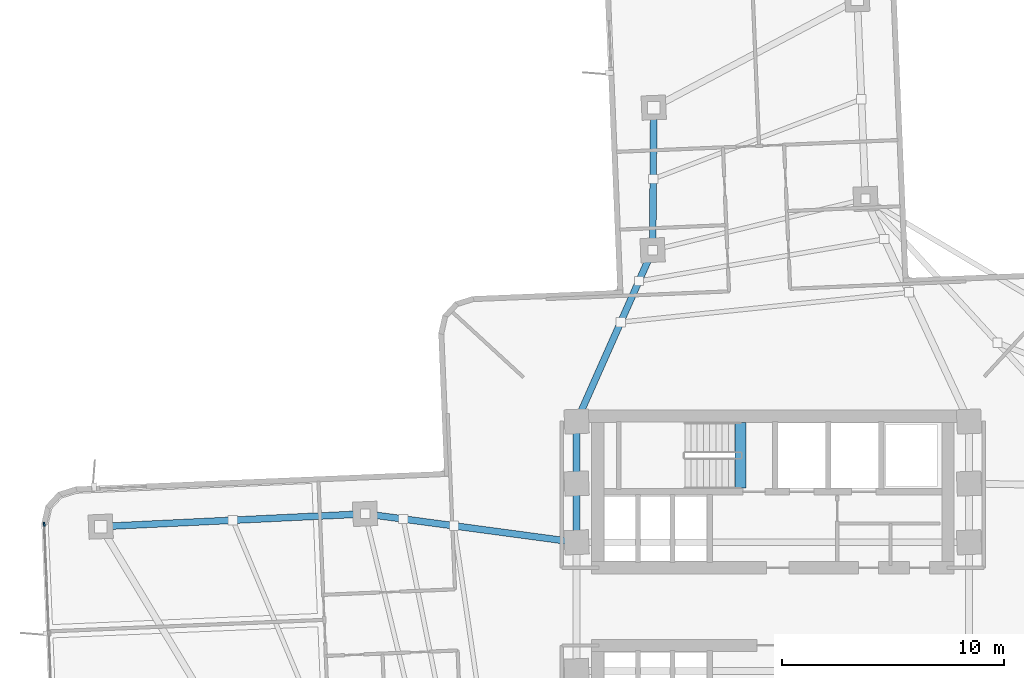
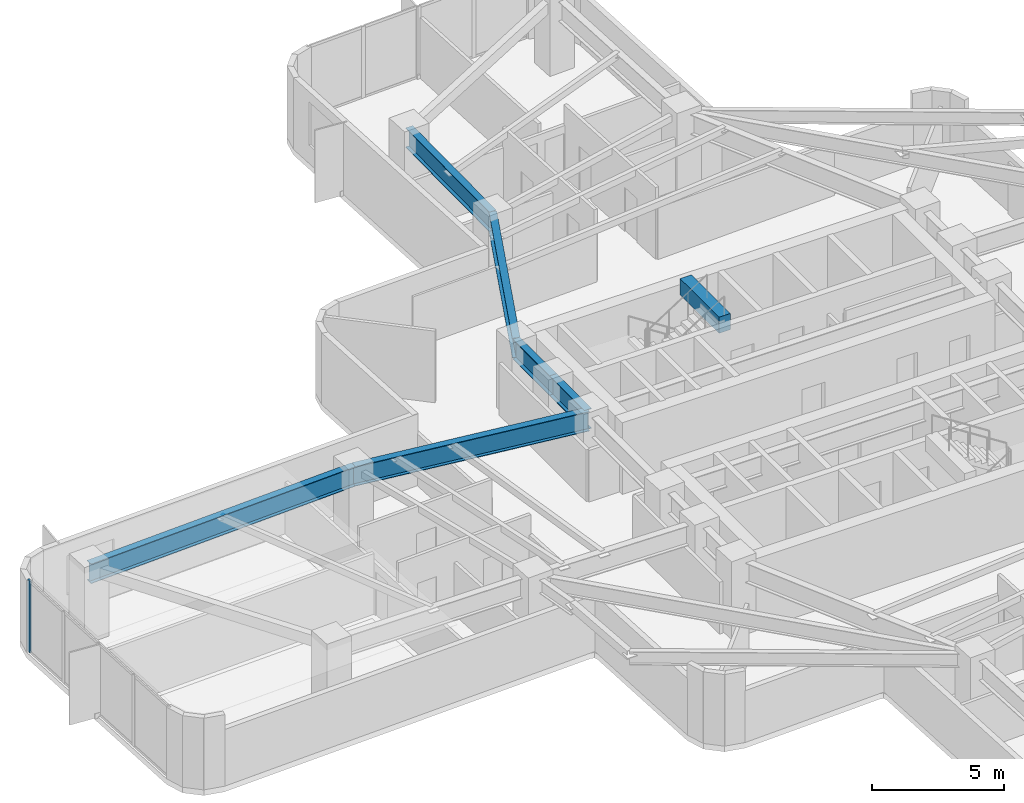
# One storey, part 4 of 15: 7 beams, 1 member, 1 element without a shape of its own.
"""IFC4 building model written with IfcOpenShell, lengths in metres."""

from ifc_helpers import new_model, si_unit, direction, frame, origin, origin_2d, place, context, subcontext, project, spatial, rectangle, i_section, extrude, material, layer, layer_set, material_profile, profile_set, type_object, element, aggregate, save


model = new_model("IFC4")

# Units and contexts
model_context = context("Model", 3, precision=1e-05, world=origin(), true_north=direction((0.0, 1.0)))
body_context = subcontext(model_context, "Body", "Model", "MODEL_VIEW")
ifc_project = project(units=[si_unit("LENGTHUNIT", "METRE"), si_unit("AREAUNIT", "SQUARE_METRE"), si_unit("VOLUMEUNIT", "CUBIC_METRE"), si_unit("PLANEANGLEUNIT", "RADIAN"), si_unit("MASSUNIT", "GRAM", prefix="KILO")], contexts=[model_context])

# Site, building, storey
site_placement = place(None, origin())
site = spatial("IfcSite", under=ifc_project, at=site_placement, CompositionType="ELEMENT")
building_placement = place(site_placement, origin())
building = spatial("IfcBuilding", under=site, at=building_placement, Name="Solmarez Civic Tower", CompositionType="ELEMENT")
storey_placement = place(building_placement, frame((0.0, 0.0, 46.080078125)))
storey = spatial("IfcBuildingStorey", under=building, at=storey_placement, Name="L11", CompositionType="ELEMENT", Elevation=46.080078125)

# Beams
ifc_material_1 = material(Name="Concrete C50/60", Category="concrete")
ifc_material_profile_1 = material_profile(ifc_material_1, rectangle(XDim=0.5, YDim=0.75, at=origin_2d()), Name="RC500X750")
ifc_profile_set_1 = profile_set([ifc_material_profile_1], Name="Concrete C50/60")
beam_type_1 = type_object("IfcBeamType", Name="BM-PR-RC500X750", PredefinedType="BEAM", material=ifc_profile_set_1)
beam_1_placement = place(storey_placement, frame((-1.449951171875, 5.340087890625, 3.23291015625), z_axis=(0.0, 1.0, 0.0), x_axis=(-1.0, 0.0, 0.0)))
element("IfcBeam", 1, at=beam_1_placement, inside=storey, type_object=beam_type_1, Name="L11 North Stair Threshold Beam", PredefinedType="BEAM", context=body_context, shape_type="SweptSolid", body=[
    extrude(rectangle(XDim=0.5, YDim=0.75, at=origin_2d()), origin(), (0.0, 0.0, 1.0), 2.9599609375),
])
ifc_material_2 = material(Name="Steel S355", Category="steel")
ifc_material_profile_2 = material_profile(ifc_material_2, i_section(OverallWidth=0.303955078125, OverallDepth=0.910888671875, WebThickness=0.015869140625, FlangeThickness=0.02392578125, at=origin_2d()), Name="W36X150")
ifc_profile_set_2 = profile_set([ifc_material_profile_2], Name="Steel S355")
beam_type_2 = type_object("IfcBeamType", Name="BM-PR-W36X150", PredefinedType="BEAM", material=ifc_profile_set_2)
beam_2_placement = place(storey_placement, frame((-8.85009765625, 8.35009765625, 2.864013671875), z_axis=(0.405693556952, 0.914009156326, 0.0), x_axis=(-0.914009156326, 0.405693556952, 0.0)))
element("IfcBeam", 2, at=beam_2_placement, inside=storey, type_object=beam_type_2, Name="L11 Primary Floor Beam BM-L11-NA-R1B", PredefinedType="BEAM", context=body_context, shape_type="SweptSolid", body=[
    extrude(i_section(OverallWidth=0.303955078125, OverallDepth=0.910888671875, WebThickness=0.015869140625, FlangeThickness=0.02392578125, at=origin_2d()), origin(), (0.0, 0.0, 1.0), 8.45263671875),
])
beam_3_placement = place(storey_placement, frame((-5.4208984375, 16.075927734375, 2.864013671875), z_axis=(0.007592219108, 0.999971178689, 0.0), x_axis=(-0.999971178689, 0.007592219108, 0.0)))
element("IfcBeam", 3, at=beam_3_placement, inside=storey, type_object=beam_type_2, Name="L11 Primary Floor Beam BM-L11-NA-R2B", PredefinedType="BEAM", context=body_context, shape_type="SweptSolid", body=[
    extrude(i_section(OverallWidth=0.303955078125, OverallDepth=0.910888671875, WebThickness=0.015869140625, FlangeThickness=0.02392578125, at=origin_2d()), origin(), (0.0, 0.0, 1.0), 6.431396484375),
])
beam_4_placement = place(storey_placement, frame((-8.85009765625, 2.89990234375, 2.864013671875), z_axis=(-0.991063240718, 0.133392851745, 0.0), x_axis=(-0.133392851745, -0.991063240718, 0.0)))
element("IfcBeam", 4, at=beam_4_placement, inside=storey, type_object=beam_type_2, Name="L11 Primary Floor Beam BM-L11-WA-R1A", PredefinedType="BEAM", context=body_context, shape_type="SweptSolid", body=[
    extrude(i_section(OverallWidth=0.303955078125, OverallDepth=0.910888671875, WebThickness=0.015869140625, FlangeThickness=0.02392578125, at=origin_2d()), origin(), (0.0, 0.0, 1.0), 9.626953125),
])
beam_5_placement = place(storey_placement, frame((-18.39111328125, 4.18408203125, 2.864013671875), z_axis=(-0.998839135977, -0.048170327398, 0.0), x_axis=(0.048170327398, -0.998839135977, 0.0)))
element("IfcBeam", 5, at=beam_5_placement, inside=storey, type_object=beam_type_2, Name="L11 Primary Floor Beam BM-L11-WA-R2A", PredefinedType="BEAM", context=body_context, shape_type="SweptSolid", body=[
    extrude(i_section(OverallWidth=0.303955078125, OverallDepth=0.910888671875, WebThickness=0.015869140625, FlangeThickness=0.02392578125, at=origin_2d()), origin(), (0.0, 0.0, 1.0), 11.94091796875),
])
ifc_material_profile_3 = material_profile(ifc_material_2, i_section(OverallWidth=0.306884765625, OverallDepth=0.927001953125, WebThickness=0.019287109375, FlangeThickness=0.031982421875, at=origin_2d()), Name="W36X194")
ifc_profile_set_3 = profile_set([ifc_material_profile_3], Name="Steel S355")
beam_type_3 = type_object("IfcBeamType", Name="BM-PR-W36X194", PredefinedType="BEAM", material=ifc_profile_set_3)
beam_6_placement = place(storey_placement, frame((-8.85009765625, 2.89990234375, 2.85595703125), z_axis=(0.0, 1.0, 0.0), x_axis=(-1.0, 0.0, 0.0)))
element("IfcBeam", 6, at=beam_6_placement, inside=storey, type_object=beam_type_3, Name="L11 Primary Floor Beam BM-L11-HC3-HC4", PredefinedType="BEAM", context=body_context, shape_type="SweptSolid", body=[
    extrude(i_section(OverallWidth=0.306884765625, OverallDepth=0.927001953125, WebThickness=0.019287109375, FlangeThickness=0.031982421875, at=origin_2d()), origin(), (0.0, 0.0, 1.0), 2.650146484375),
])
beam_7_placement = place(storey_placement, frame((-8.85009765625, 5.550048828125, 2.85595703125), z_axis=(0.0, 1.0, 0.0), x_axis=(-1.0, 0.0, 0.0)))
element("IfcBeam", 7, at=beam_7_placement, inside=storey, type_object=beam_type_3, Name="L11 Primary Floor Beam BM-L11-HC4-HC9", PredefinedType="BEAM", context=body_context, shape_type="SweptSolid", body=[
    extrude(i_section(OverallWidth=0.306884765625, OverallDepth=0.927001953125, WebThickness=0.019287109375, FlangeThickness=0.031982421875, at=origin_2d()), origin(), (0.0, 0.0, 1.0), 2.800048828125),
])

# Curtain wall, member
ifc_material_3 = material(Name="Bronze Anodised Aluminium EN AW-6063 T6", Category="aluminium")
ifc_layer = layer(ifc_material_3, 0.18505859375)
ifc_layer_set = layer_set([ifc_layer], Name="Bronze Anodised Aluminium EN AW-6063 T6")
curtain_wall_type = type_object("IfcCurtainWallType", Name="CW-SYS-2", PredefinedType="NOTDEFINED", material=ifc_layer_set)
curtain_wall_placement = place(storey_placement, origin())
curtain_wall = element("IfcCurtainWall", 8, at=curtain_wall_placement, inside=storey, type_object=curtain_wall_type, Name="L11 Stick-Built Curtain Wall 1", PredefinedType="NOTDEFINED")
ifc_material_profile_4 = material_profile(ifc_material_3, rectangle(XDim=0.070068359375, YDim=0.179931640625, at=origin_2d()), Name="CWM-70X180")
ifc_profile_set_4 = profile_set([ifc_material_profile_4], Name="Bronze Anodised Aluminium EN AW-6063 T6")
member_type = type_object("IfcMemberType", Name="CWM-TYPE-2", PredefinedType="MULLION", material=ifc_profile_set_4)
member_placement = place(storey_placement, frame((-32.864501953125, 3.720947265625, 0.0), z_axis=(0.0, 0.0, 1.0), x_axis=(-0.999123631067, -0.041856538832, 0.0)))
member = element("IfcMember", 9, at=member_placement, type_object=member_type, Name="CWS2 mullion 5", PredefinedType="MULLION", context=body_context, shape_type="SweptSolid", body=[
    extrude(rectangle(XDim=0.070068359375, YDim=0.179931640625, at=origin_2d()), origin(), (0.0, 0.0, 1.0), 3.31982421875),
])
aggregate(curtain_wall, [member])

save(model, "model.ifc")
